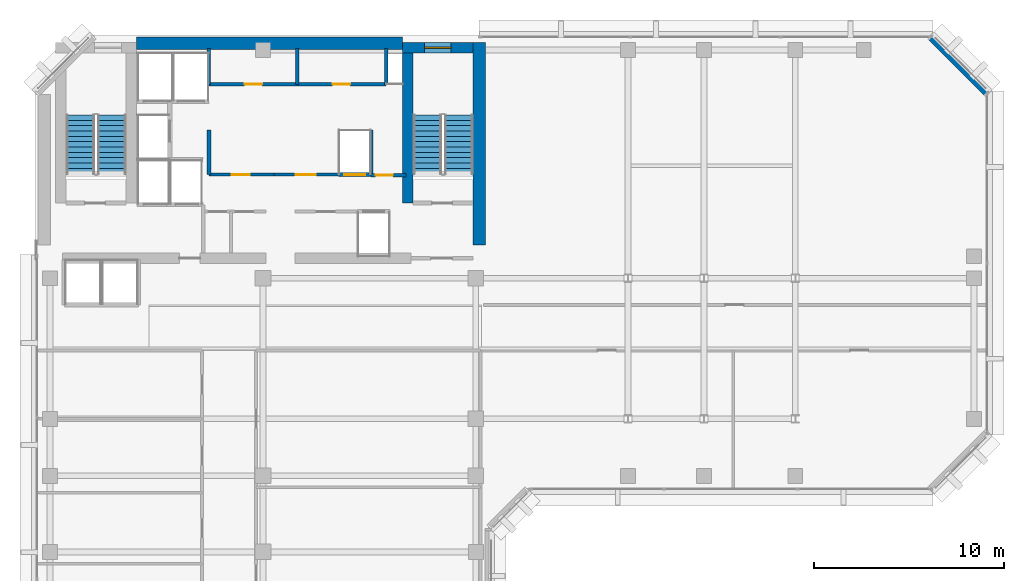
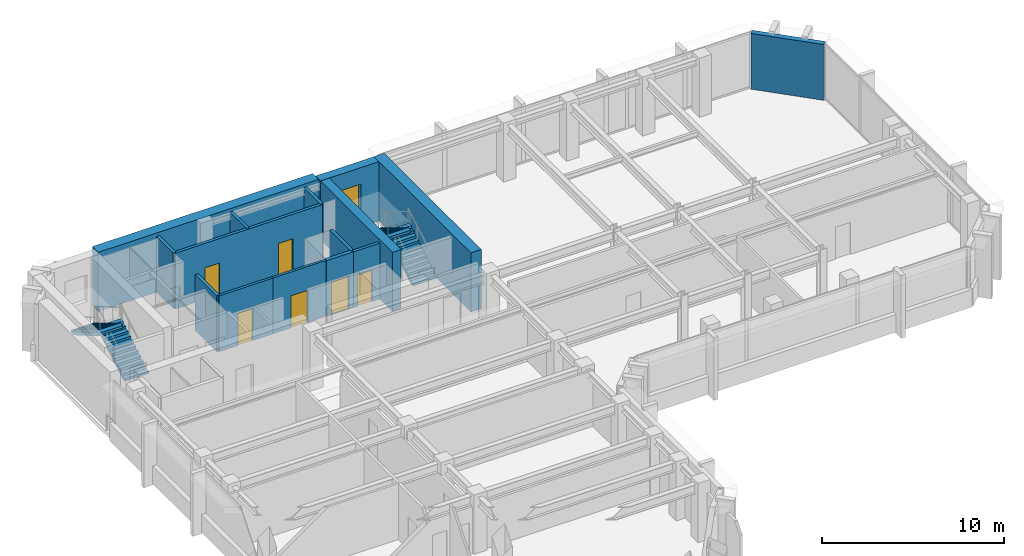
# One storey, part 8 of 12: 15 walls, 6 doors, 4 stair flights, 1 window, 7 openings, 2 elements without a shape of their own.
"""IFC4 building model written with IfcOpenShell, lengths in metres."""

from ifc_helpers import new_model, si_unit, direction, frame, frame_2d, origin, place, context, subcontext, project, spatial, polyline, rectangle, outline, extrude, material, layer, layer_set, type_object, element, fill, aggregate, save


model = new_model("IFC4")

# Units and contexts
model_context = context("Model", 3, precision=1e-05, world=origin(), true_north=direction((0.0, 1.0)))
body_context = subcontext(model_context, "Body", "Model", "MODEL_VIEW")
ifc_project = project(units=[si_unit("LENGTHUNIT", "METRE"), si_unit("AREAUNIT", "SQUARE_METRE"), si_unit("VOLUMEUNIT", "CUBIC_METRE"), si_unit("PLANEANGLEUNIT", "RADIAN"), si_unit("MASSUNIT", "GRAM", prefix="KILO")], contexts=[model_context])

# Site, building, storey
site_placement = place(None, origin())
site = spatial("IfcSite", under=ifc_project, at=site_placement, CompositionType="ELEMENT")
building_placement = place(site_placement, origin())
building = spatial("IfcBuilding", under=site, at=building_placement, Name="Kefirva Bronze Tower", CompositionType="ELEMENT")
storey_placement = place(building_placement, frame((0.0, 0.0, 268.2900390625)))
storey = spatial("IfcBuildingStorey", under=building, at=storey_placement, Name="L65", CompositionType="ELEMENT", Elevation=268.2900390625)

# Wall, opening, door
ifc_material_1 = material(Name="Gypsum acoustic partition")
ifc_layer_1 = layer(ifc_material_1, 0.14990234375, Name="Gypsum acoustic partition")
ifc_layer_set_1 = layer_set([ifc_layer_1], Name="Gypsum acoustic partition")
wall_type_1 = type_object("IfcWallType", Name="Executive Suite Partition 150mm", PredefinedType="PARTITIONING", material=ifc_layer_set_1)
wall_1_placement = place(storey_placement, frame((12.580078125, 38.64990234375, 0.0), z_axis=(0.0, 0.0, 1.0), x_axis=(1.0, 0.0, 0.0)))
wall_1 = element("IfcWall", 1, at=wall_1_placement, inside=storey, type_object=wall_type_1, Name="L65 Partition W-L65-RECMP2", PredefinedType="PARTITIONING", context=body_context, shape_type="SweptSolid", body=[
    extrude(rectangle(XDim=3.3798828125, YDim=0.14990234375, at=frame_2d((1.68994140625, 0.0))), origin(), (0.0, 0.0, 1.0), 3.739990234375),
])
opening_1_placement = place(wall_1_placement, frame((2.199951171875, 0.0, 0.0), z_axis=(0.0, 0.0, 1.0), x_axis=(-1.0, 0.0, 0.0)))
opening_1 = element("IfcOpeningElement", 2, at=opening_1_placement, cuts=wall_1, Name="Opening L65-D-RECMP2", PredefinedType="OPENING", context=body_context, shape_type="SweptSolid", body=[
    extrude(rectangle(XDim=1.050048828125, YDim=2.14990234375, at=frame_2d((0.52490234375, 1.074951171875))), frame((0.0, 0.0849609375, 0.0), z_axis=(0.0, -1.0, 0.0), x_axis=(1.0, 0.0, 0.0)), (0.0, 0.0, 1.0), 0.169921875),
])
ifc_material_2 = material(Name="Acoustic hardwood oak", Category="wood")
door_type_1 = type_object("IfcDoorType", Name="Executive & Boardroom Door 1050x2150", OperationType="NOTDEFINED", PredefinedType="DOOR", material=ifc_material_2)
door_1_placement = place(opening_1_placement, origin())
door_1 = element("IfcDoor", 3, at=door_1_placement, inside=storey, type_object=door_type_1, Name="Door L65-D-RECMP2", OperationType="SINGLE_SWING_RIGHT", OverallHeight=2.14990234375, OverallWidth=1.050048828125, PredefinedType="DOOR", context=body_context, shape_type="SweptSolid", body=[
    extrude(rectangle(XDim=1.050048828125, YDim=2.14990234375, at=frame_2d((0.52490234375, 1.074951171875))), frame((0.0, 0.02490234375, 0.0), z_axis=(0.0, -1.0, 0.0), x_axis=(1.0, 0.0, 0.0)), (0.0, 0.0, 1.0), 0.050048828125),
])
fill(opening_1, door_1)

# Walls
ifc_material_3 = material(Name="Gypsum fireboard shaftwall")
ifc_layer_2 = layer(ifc_material_3, 0.219970703125, Name="Gypsum fireboard shaftwall")
ifc_layer_set_2 = layer_set([ifc_layer_2], Name="Gypsum fireboard shaftwall")
wall_type_2 = type_object("IfcWallType", Name="Fire-Rated Shaft Enclosure Wall 220mm", PredefinedType="PARTITIONING", material=ifc_layer_set_2)
for number, where, z_axis, x_axis, name in (
    (4, (9.159912109375, 38.64990234375, 0.0), (0.0, 0.0, 1.0), (0.0, 1.0, 0.0), "L65 Partition W-L65-LP3W"),
    (5, (17.679931640625, 38.64990234375, 0.0), (0.0, 0.0, 1.0), (0.0, 1.0, 0.0), "L65 Partition W-L65-HP2E"),
):
    element("IfcWall", number, at=place(storey_placement, frame(where, z_axis=z_axis, x_axis=x_axis)), inside=storey, type_object=wall_type_2, Name=name, PredefinedType="PARTITIONING", context=body_context, shape_type="SweptSolid", body=[
        extrude(rectangle(XDim=2.35009765625, YDim=0.199951171875, at=frame_2d((1.175048828125, 0.0))), origin(), (0.0, 0.0, 1.0), 3.739990234375),
    ])

# Wall, opening, door
wall_2_placement = place(storey_placement, frame((15.97998046875, 38.64990234375, 0.0), z_axis=(0.0, 0.0, 1.0), x_axis=(1.0, 0.0, 0.0)))
wall_2 = element("IfcWall", 6, at=wall_2_placement, inside=storey, type_object=wall_type_2, Name="L65 Partition W-L65-HPN", PredefinedType="PARTITIONING", context=body_context, shape_type="SweptSolid", body=[
    extrude(rectangle(XDim=1.719970703125, YDim=0.219970703125, at=frame_2d((0.85986328125, 0.0))), origin(), (0.0, 0.0, 1.0), 3.739990234375),
])
opening_2_placement = place(wall_2_placement, frame((0.300048828125, 0.0, 0.0)))
opening_2 = element("IfcOpeningElement", 7, at=opening_2_placement, cuts=wall_2, Name="Opening L65-LD-HP2", PredefinedType="OPENING", context=body_context, shape_type="SweptSolid", body=[
    extrude(rectangle(XDim=1.10009765625, YDim=2.199951171875, at=frame_2d((0.550048828125, 1.10009765625))), frame((0.0, 0.1201171875, 0.0), z_axis=(0.0, -1.0, 0.0), x_axis=(1.0, 0.0, 0.0)), (0.0, 0.0, 1.0), 0.239990234375),
])
ifc_material_4 = material(Name="Stainless steel 316", Category="steel")
door_type_2 = type_object("IfcDoorType", Name="Passenger Lift Sliding Landing Door 1100x2200", OperationType="SLIDING_TO_LEFT", PredefinedType="DOOR", material=ifc_material_4)
door_2_placement = place(opening_2_placement, origin())
door_2 = element("IfcDoor", 8, at=door_2_placement, inside=storey, type_object=door_type_2, Name="Door L65-LD-HP2", OperationType="SLIDING_TO_LEFT", OverallHeight=2.199951171875, OverallWidth=1.10009765625, PredefinedType="DOOR", context=body_context, shape_type="SweptSolid", body=[
    extrude(rectangle(XDim=1.10009765625, YDim=2.199951171875, at=frame_2d((0.550048828125, 1.10009765625))), frame((0.0, 0.02490234375, 0.0), z_axis=(0.0, -1.0, 0.0), x_axis=(1.0, 0.0, 0.0)), (0.0, 0.0, 1.0), 0.050048828125),
])
fill(opening_2, door_2)

ifc_material_5 = material(Name="Gypsum fireboard barrier")
ifc_layer_3 = layer(ifc_material_5, 0.199951171875, Name="Gypsum fireboard barrier")
ifc_layer_set_3 = layer_set([ifc_layer_3], Name="Gypsum fireboard barrier")
wall_type_3 = type_object("IfcWallType", Name="Firefighting Lobby Barrier Wall 200mm", PredefinedType="PARTITIONING", material=ifc_layer_set_3)
wall_3_placement = place(storey_placement, frame((17.679931640625, 38.6201171875, 0.0), z_axis=(0.0, 0.0, 1.0), x_axis=(1.0, 0.0, 0.0)))
wall_3 = element("IfcWall", 9, at=wall_3_placement, inside=storey, type_object=wall_type_3, Name="L65 Partition W-L65-CPASS", PredefinedType="PARTITIONING", context=body_context, shape_type="SweptSolid", body=[
    extrude(rectangle(XDim=1.840087890625, YDim=0.179931640625, at=frame_2d((0.919921875, 0.0))), origin(), (0.0, 0.0, 1.0), 3.739990234375),
])
opening_3_placement = place(wall_3_placement, frame((0.239990234375, 0.0, 0.0)))
opening_3 = element("IfcOpeningElement", 10, at=opening_3_placement, cuts=wall_3, Name="Opening L65-D-CPAS", PredefinedType="OPENING", context=body_context, shape_type="SweptSolid", body=[
    extrude(rectangle(XDim=0.919921875, YDim=2.10009765625, at=frame_2d((0.4599609375, 1.050048828125))), frame((0.0, 0.10009765625, 0.0), z_axis=(0.0, -1.0, 0.0), x_axis=(1.0, 0.0, 0.0)), (0.0, 0.0, 1.0), 0.199951171875),
])
ifc_material_6 = material(Name="Moisture-resistant timber", Category="wood")
door_type_3 = type_object("IfcDoorType", Name="Accessible Sanitary & WC Door 920x2100", OperationType="NOTDEFINED", PredefinedType="DOOR", material=ifc_material_6)
door_3_placement = place(opening_3_placement, origin())
door_3 = element("IfcDoor", 11, at=door_3_placement, inside=storey, type_object=door_type_3, Name="Door L65-D-CPAS", OperationType="SINGLE_SWING_LEFT", OverallHeight=2.10009765625, OverallWidth=0.919921875, PredefinedType="DOOR", context=body_context, shape_type="SweptSolid", body=[
    extrude(rectangle(XDim=0.919921875, YDim=2.10009765625, at=frame_2d((0.4599609375, 1.050048828125))), frame((0.0, 0.02490234375, 0.0), z_axis=(0.0, -1.0, 0.0), x_axis=(1.0, 0.0, 0.0)), (0.0, 0.0, 1.0), 0.050048828125),
])
fill(opening_3, door_3)

# Wall
ifc_material_7 = material(Name="Precast concrete C40/50", Category="concrete")
ifc_layer_4 = layer(ifc_material_7, 0.320068359375, Name="Precast concrete C40/50")
ifc_layer_set_4 = layer_set([ifc_layer_4], Name="Precast concrete C40/50")
wall_type_4 = type_object("IfcWallType", Name="Precast Insulated Exterior Wall 320mm", PredefinedType="SOLIDWALL", material=ifc_layer_set_4)
wall_4_placement = place(storey_placement, frame((50.048095703125, 42.92578125, 0.0), z_axis=(0.0, 0.0, 1.0), x_axis=(-0.707136318428, 0.707077242712, 0.0)))
element("IfcWall", 12, at=wall_4_placement, inside=storey, type_object=wall_type_4, Name="L65 Exterior Facade Wall 5", PredefinedType="SOLIDWALL", context=body_context, shape_type="SweptSolid", body=[
    extrude(rectangle(XDim=4.132568359375, YDim=0.320068359375, at=frame_2d((2.06640625, 0.0))), origin(), (0.0, 0.0, 1.0), 3.739990234375),
])

# Wall, opening, door
ifc_layer_5 = layer(ifc_material_1, 0.159912109375, Name="Gypsum acoustic partition")
ifc_layer_set_5 = layer_set([ifc_layer_5], Name="Gypsum acoustic partition")
wall_type_5 = type_object("IfcWallType", Name="Protected Corridor Partition 160mm", PredefinedType="PARTITIONING", material=ifc_layer_set_5)
wall_5_placement = place(storey_placement, frame((9.159912109375, 38.64990234375, 0.0), z_axis=(0.0, 0.0, 1.0), x_axis=(1.0, 0.0, 0.0)))
wall_5 = element("IfcWall", 13, at=wall_5_placement, inside=storey, type_object=wall_type_5, Name="L65 Partition W-L65-RECLP2", PredefinedType="PARTITIONING", context=body_context, shape_type="SweptSolid", body=[
    extrude(rectangle(XDim=3.420166015625, YDim=0.159912109375, at=frame_2d((1.7099609375, 0.0))), origin(), (0.0, 0.0, 1.0), 3.739990234375),
])
opening_4_placement = place(wall_5_placement, frame((2.14990234375, 0.0, 0.0), z_axis=(0.0, 0.0, 1.0), x_axis=(-1.0, 0.0, 0.0)))
opening_4 = element("IfcOpeningElement", 14, at=opening_4_placement, cuts=wall_5, Name="Opening L65-D-RECLP2", PredefinedType="OPENING", context=body_context, shape_type="SweptSolid", body=[
    extrude(rectangle(XDim=0.949951171875, YDim=2.14990234375, at=frame_2d((0.47509765625, 1.074951171875))), frame((0.0, 0.08984375, 0.0), z_axis=(0.0, -1.0, 0.0), x_axis=(1.0, 0.0, 0.0)), (0.0, 0.0, 1.0), 0.179931640625),
])
door_type_4 = type_object("IfcDoorType", Name="Office & Meeting Room Door 950x2150", OperationType="NOTDEFINED", PredefinedType="DOOR", material=ifc_material_2)
door_4_placement = place(opening_4_placement, origin())
door_4 = element("IfcDoor", 15, at=door_4_placement, inside=storey, type_object=door_type_4, Name="Door L65-D-RECLP2", OperationType="SINGLE_SWING_RIGHT", OverallHeight=2.14990234375, OverallWidth=0.949951171875, PredefinedType="DOOR", context=body_context, shape_type="SweptSolid", body=[
    extrude(rectangle(XDim=0.949951171875, YDim=2.14990234375, at=frame_2d((0.47509765625, 1.074951171875))), frame((0.0, 0.02490234375, 0.0), z_axis=(0.0, -1.0, 0.0), x_axis=(1.0, 0.0, 0.0)), (0.0, 0.0, 1.0), 0.050048828125),
])
fill(opening_4, door_4)

# Wall, opening, window
ifc_material_8 = material(Name="Concrete C50/60", Category="concrete")
ifc_layer_6 = layer(ifc_material_8, 0.550048828125, Name="Concrete C50/60")
ifc_layer_set_6 = layer_set([ifc_layer_6], Name="Concrete C50/60")
wall_type_6 = type_object("IfcWallType", Name="RC Rear Core Exterior Wall 550mm", PredefinedType="SHEAR", material=ifc_layer_set_6)
wall_6_placement = place(storey_placement, frame((19.35009765625, 45.320068359375, 0.0), z_axis=(0.0, 0.0, 1.0), x_axis=(1.0, 0.0, 0.0)))
wall_6 = element("IfcWall", 16, at=wall_6_placement, inside=storey, type_object=wall_type_6, Name="L65 Stair 2 North Shear Wall", PredefinedType="SHEAR", context=body_context, shape_type="SweptSolid", body=[
    extrude(rectangle(XDim=3.68994140625, YDim=0.550048828125, at=frame_2d((1.844970703125, 0.0))), origin(), (0.0, 0.0, 1.0), 3.9599609375),
])
opening_5_placement = place(wall_6_placement, frame((1.14990234375, 0.0, 1.050048828125)))
opening_5 = element("IfcOpeningElement", 17, at=opening_5_placement, cuts=wall_6, Name="Opening WN-03", PredefinedType="OPENING", context=body_context, shape_type="SweptSolid", body=[
    extrude(rectangle(XDim=1.39990234375, YDim=1.800048828125, at=frame_2d((0.699951171875, 0.89990234375))), frame((0.0, 0.28515625, 0.0), z_axis=(0.0, -1.0, 0.0), x_axis=(1.0, 0.0, 0.0)), (0.0, 0.0, 1.0), 0.570068359375),
])
ifc_material_9 = material(Name="Laminated low-E double glazing", Category="glass")
window_type = type_object("IfcWindowType", Name="Rear-Core Stair Daylight Window 1400x1800", PartitioningType="SINGLE_PANEL", PredefinedType="WINDOW", material=ifc_material_9)
window_placement = place(opening_5_placement, origin())
window = element("IfcWindow", 18, at=window_placement, inside=storey, type_object=window_type, Name="L65 Stair 2 Daylight Window", OverallHeight=1.800048828125, OverallWidth=1.39990234375, PartitioningType="SINGLE_PANEL", PredefinedType="WINDOW", context=body_context, shape_type="SweptSolid", body=[
    extrude(rectangle(XDim=1.39990234375, YDim=1.800048828125, at=frame_2d((0.699951171875, 0.89990234375))), frame((0.0, 0.030029296875, 0.0), z_axis=(0.0, -1.0, 0.0), x_axis=(1.0, 0.0, 0.0)), (0.0, 0.0, 1.0), 0.06005859375),
])
fill(opening_5, window)

# Walls
ifc_layer_7 = layer(ifc_material_8, 0.64990234375, Name="Concrete C50/60")
ifc_layer_set_7 = layer_set([ifc_layer_7], Name="Concrete C50/60")
wall_type_7 = type_object("IfcWallType", Name="RC Rear Core Exterior Wall 650mm", PredefinedType="SHEAR", material=ifc_layer_set_7)
wall_7_placement = place(storey_placement, frame((5.360107421875, 45.550048828125, 0.0), z_axis=(0.0, 0.0, 1.0), x_axis=(1.0, 0.0, 0.0)))
element("IfcWall", 19, at=wall_7_placement, inside=storey, type_object=wall_type_7, Name="L65 Rear Core North Shear Wall", PredefinedType="SHEAR", context=body_context, shape_type="SweptSolid", body=[
    extrude(rectangle(XDim=13.97998046875, YDim=0.64990234375, at=frame_2d((6.989990234375, 0.0))), origin(), (0.0, 0.0, 1.0), 3.9599609375),
])
ifc_layer_8 = layer(ifc_material_8, 0.550048828125, Name="Concrete C50/60")
ifc_layer_set_8 = layer_set([ifc_layer_8], Name="Concrete C50/60")
wall_type_8 = type_object("IfcWallType", Name="RC Rear Core Interior Wall 550mm", PredefinedType="SHEAR", material=ifc_layer_set_8)
wall_8_placement = place(storey_placement, frame((19.6201171875, 37.14990234375, 0.0), z_axis=(0.0, 0.0, 1.0), x_axis=(0.0, 1.0, 0.0)))
element("IfcWall", 20, at=wall_8_placement, inside=storey, type_object=wall_type_8, Name="L65 Stair 2 West Shear Wall", PredefinedType="SHEAR", context=body_context, shape_type="SweptSolid", body=[
    extrude(rectangle(XDim=7.89013671875, YDim=0.550048828125, at=frame_2d((3.945068359375, 0.0))), origin(), (0.0, 0.0, 1.0), 3.9599609375),
])
ifc_layer_9 = layer(ifc_material_8, 0.64990234375, Name="Concrete C50/60")
ifc_layer_set_9 = layer_set([ifc_layer_9], Name="Concrete C50/60")
wall_type_9 = type_object("IfcWallType", Name="RC Rear Core Interior Wall 650mm", PredefinedType="SHEAR", material=ifc_layer_set_9)
wall_9_placement = place(storey_placement, frame((23.375, 34.949951171875, 0.0), z_axis=(0.0, 0.0, 1.0), x_axis=(0.0, 1.0, 0.0)))
element("IfcWall", 21, at=wall_9_placement, inside=storey, type_object=wall_type_9, Name="L65 Rear Core East Shear Wall", PredefinedType="SHEAR", context=body_context, shape_type="SweptSolid", body=[
    extrude(rectangle(XDim=10.64013671875, YDim=0.64990234375, at=frame_2d((5.320068359375, 0.0))), origin(), (0.0, 0.0, 1.0), 3.9599609375),
])

# Wall, openings, doors
ifc_material_10 = material(Name="Moisture-resistant partition")
ifc_layer_10 = layer(ifc_material_10, 0.179931640625, Name="Moisture-resistant partition")
ifc_layer_set_10 = layer_set([ifc_layer_10], Name="Moisture-resistant partition")
wall_type_10 = type_object("IfcWallType", Name="Sanitary Plumbing Chase Wall 180mm", PredefinedType="PLUMBINGWALL", material=ifc_layer_set_10)
wall_10_placement = place(storey_placement, frame((9.14990234375, 43.39990234375, 0.0), z_axis=(0.0, 0.0, 1.0), x_axis=(1.0, 0.0, 0.0)))
wall_10 = element("IfcWall", 22, at=wall_10_placement, inside=storey, type_object=wall_type_10, Name="L65 Partition W-L65-SVCS", PredefinedType="PLUMBINGWALL", context=body_context, shape_type="SweptSolid", body=[
    extrude(rectangle(XDim=9.330078125, YDim=0.179931640625, at=frame_2d((4.6650390625, 0.0))), origin(), (0.0, 0.0, 1.0), 3.739990234375),
])
opening_6_placement = place(wall_10_placement, frame((1.8798828125, 0.0, 0.0)))
opening_6 = element("IfcOpeningElement", 23, at=opening_6_placement, cuts=wall_10, Name="Opening L65-D-CSVC1", PredefinedType="OPENING", context=body_context, shape_type="SweptSolid", body=[
    extrude(rectangle(XDim=0.919921875, YDim=2.10009765625, at=frame_2d((0.4599609375, 1.050048828125))), frame((0.0, 0.10009765625, 0.0), z_axis=(0.0, -1.0, 0.0), x_axis=(1.0, 0.0, 0.0)), (0.0, 0.0, 1.0), 0.199951171875),
])
opening_7_placement = place(wall_10_placement, frame((6.514892578125, 0.0, 0.0)))
opening_7 = element("IfcOpeningElement", 24, at=opening_7_placement, cuts=wall_10, Name="Opening L65-D-CSVC2", PredefinedType="OPENING", context=body_context, shape_type="SweptSolid", body=[
    extrude(rectangle(XDim=0.919921875, YDim=2.10009765625, at=frame_2d((0.4599609375, 1.050048828125))), frame((0.0, 0.10009765625, 0.0), z_axis=(0.0, -1.0, 0.0), x_axis=(1.0, 0.0, 0.0)), (0.0, 0.0, 1.0), 0.199951171875),
])
door_5_placement = place(opening_6_placement, origin())
door_5 = element("IfcDoor", 25, at=door_5_placement, inside=storey, type_object=door_type_3, Name="Door L65-D-CSVC1", OperationType="SINGLE_SWING_LEFT", OverallHeight=2.10009765625, OverallWidth=0.919921875, PredefinedType="DOOR", context=body_context, shape_type="SweptSolid", body=[
    extrude(rectangle(XDim=0.919921875, YDim=2.10009765625, at=frame_2d((0.4599609375, 1.050048828125))), frame((0.0, 0.02490234375, 0.0), z_axis=(0.0, -1.0, 0.0), x_axis=(1.0, 0.0, 0.0)), (0.0, 0.0, 1.0), 0.050048828125),
])
fill(opening_6, door_5)
door_6_placement = place(opening_7_placement, origin())
door_6 = element("IfcDoor", 26, at=door_6_placement, inside=storey, type_object=door_type_3, Name="Door L65-D-CSVC2", OperationType="SINGLE_SWING_RIGHT", OverallHeight=2.10009765625, OverallWidth=0.919921875, PredefinedType="DOOR", context=body_context, shape_type="SweptSolid", body=[
    extrude(rectangle(XDim=0.919921875, YDim=2.10009765625, at=frame_2d((0.4599609375, 1.050048828125))), frame((0.0, 0.02490234375, 0.0), z_axis=(0.0, -1.0, 0.0), x_axis=(1.0, 0.0, 0.0)), (0.0, 0.0, 1.0), 0.050048828125),
])
fill(opening_7, door_6)

# Walls
for number, where, z_axis, x_axis, name in (
    (27, (9.14990234375, 43.39990234375, 0.0), (0.0, 0.0, 1.0), (0.0, 1.0, 0.0), "L65 Partition W-L65-SVCW"),
    (28, (18.47998046875, 43.39990234375, 0.0), (0.0, 0.0, 1.0), (0.0, 1.0, 0.0), "L65 Partition W-L65-SVCE"),
    (29, (13.800048828125, 43.39990234375, 0.0), (0.0, 0.0, 1.0), (0.0, 1.0, 0.0), "L65 Partition W-L65-CSVD-1"),
):
    element("IfcWall", number, at=place(storey_placement, frame(where, z_axis=z_axis, x_axis=x_axis)), inside=storey, type_object=wall_type_10, Name=name, PredefinedType="PLUMBINGWALL", context=body_context, shape_type="SweptSolid", body=[
        extrude(rectangle(XDim=1.880126953125, YDim=0.179931640625, at=frame_2d((0.93994140625, 0.0))), origin(), (0.0, 0.0, 1.0), 3.739990234375),
    ])

# Stair, stair flights
ifc_material_11 = material(Name="Concrete C40/50", Category="concrete")
stair_type = type_object("IfcStairType", Name="RC Dogleg Protected Stair 24R", PredefinedType="HALF_TURN_STAIR", material=ifc_material_11)
stair_1_placement = place(storey_placement, origin())
stair_1 = element("IfcStair", 30, at=stair_1_placement, inside=storey, type_object=stair_type, Name="L65 Protected Exit Stair 1", PredefinedType="HALF_TURN_STAIR")
stair_flight_type = type_object("IfcStairFlightType", Name="RC Straight Stair Flight 24R", PredefinedType="STRAIGHT", material=ifc_material_11)
stair_flight_1_placement = place(storey_placement, frame((4.050048828125, 38.699951171875, 0.0), z_axis=(0.0, 0.0, 1.0), x_axis=(0.0, 1.0, 0.0)))
stair_flight_1 = element("IfcStairFlight", 31, at=stair_flight_1_placement, type_object=stair_flight_type, Name="ST-1 flight 1", NumberOfRisers=12, NumberOfTreads=11, PredefinedType="STRAIGHT", RiserHeight=0.165, TreadLength=0.28, context=body_context, shape_type="SweptSolid", body=[
    extrude(outline(polyline([(0.0, 0.0), (0.0, 0.1650390625), (0.280029296875, 0.1650390625), (0.280029296875, 0.330078125), (0.56005859375, 0.330078125), (0.56005859375, 0.4951171875), (0.840087890625, 0.4951171875), (0.840087890625, 0.659912109375), (1.1201171875, 0.659912109375), (1.1201171875, 0.824951171875), (1.39990234375, 0.824951171875), (1.39990234375, 0.989990234375), (1.679931640625, 0.989990234375), (1.679931640625, 1.155029296875), (1.9599609375, 1.155029296875), (1.9599609375, 1.320068359375), (2.239990234375, 1.320068359375), (2.239990234375, 1.485107421875), (2.52001953125, 1.485107421875), (2.52001953125, 1.64990234375), (2.800048828125, 1.64990234375), (2.800048828125, 1.81494140625), (3.080078125, 1.81494140625), (3.080078125, 1.97998046875), (3.080078125, 1.64111328125), (0.295166015625, 0.0), (0.0, 0.0)])), frame((0.0, 0.75, 0.0), z_axis=(0.0, -1.0, 0.0), x_axis=(1.0, 0.0, 0.0)), (0.0, 0.0, 1.0), 1.5),
])
stair_flight_2_placement = place(storey_placement, frame((2.39990234375, 41.780029296875, 1.97998046875), z_axis=(0.0, 0.0, 1.0), x_axis=(0.0, -1.0, 0.0)))
stair_flight_2 = element("IfcStairFlight", 32, at=stair_flight_2_placement, type_object=stair_flight_type, Name="ST-1 flight 2", NumberOfRisers=12, NumberOfTreads=11, PredefinedType="STRAIGHT", RiserHeight=0.165, TreadLength=0.28, context=body_context, shape_type="SweptSolid", body=[
    extrude(outline(polyline([(0.0, 0.0), (0.0, 0.1650390625), (0.280029296875, 0.1650390625), (0.280029296875, 0.330078125), (0.56005859375, 0.330078125), (0.56005859375, 0.4951171875), (0.840087890625, 0.4951171875), (0.840087890625, 0.659912109375), (1.1201171875, 0.659912109375), (1.1201171875, 0.824951171875), (1.39990234375, 0.824951171875), (1.39990234375, 0.989990234375), (1.679931640625, 0.989990234375), (1.679931640625, 1.155029296875), (1.9599609375, 1.155029296875), (1.9599609375, 1.320068359375), (2.239990234375, 1.320068359375), (2.239990234375, 1.485107421875), (2.52001953125, 1.485107421875), (2.52001953125, 1.64990234375), (2.800048828125, 1.64990234375), (2.800048828125, 1.81494140625), (3.080078125, 1.81494140625), (3.080078125, 1.97998046875), (3.080078125, 1.64111328125), (0.295166015625, 0.0), (0.0, 0.0)])), frame((0.0, 0.75, 0.0), z_axis=(0.0, -1.0, 0.0), x_axis=(1.0, 0.0, 0.0)), (0.0, 0.0, 1.0), 1.5),
])
aggregate(stair_1, [stair_flight_1, stair_flight_2])

stair_2_placement = place(storey_placement, origin())
stair_2 = element("IfcStair", 33, at=stair_2_placement, inside=storey, type_object=stair_type, Name="L65 Protected Exit Stair 2", PredefinedType="HALF_TURN_STAIR")
stair_flight_3_placement = place(storey_placement, frame((22.300048828125, 38.699951171875, 0.0), z_axis=(0.0, 0.0, 1.0), x_axis=(0.0, 1.0, 0.0)))
stair_flight_3 = element("IfcStairFlight", 34, at=stair_flight_3_placement, type_object=stair_flight_type, Name="ST-2 flight 1", NumberOfRisers=12, NumberOfTreads=11, PredefinedType="STRAIGHT", RiserHeight=0.165, TreadLength=0.28, context=body_context, shape_type="SweptSolid", body=[
    extrude(outline(polyline([(0.0, 0.0), (0.0, 0.1650390625), (0.280029296875, 0.1650390625), (0.280029296875, 0.330078125), (0.56005859375, 0.330078125), (0.56005859375, 0.4951171875), (0.840087890625, 0.4951171875), (0.840087890625, 0.659912109375), (1.1201171875, 0.659912109375), (1.1201171875, 0.824951171875), (1.39990234375, 0.824951171875), (1.39990234375, 0.989990234375), (1.679931640625, 0.989990234375), (1.679931640625, 1.155029296875), (1.9599609375, 1.155029296875), (1.9599609375, 1.320068359375), (2.239990234375, 1.320068359375), (2.239990234375, 1.485107421875), (2.52001953125, 1.485107421875), (2.52001953125, 1.64990234375), (2.800048828125, 1.64990234375), (2.800048828125, 1.81494140625), (3.080078125, 1.81494140625), (3.080078125, 1.97998046875), (3.080078125, 1.64111328125), (0.295166015625, 0.0), (0.0, 0.0)])), frame((0.0, 0.75, 0.0), z_axis=(0.0, -1.0, 0.0), x_axis=(1.0, 0.0, 0.0)), (0.0, 0.0, 1.0), 1.5),
])
stair_flight_4_placement = place(storey_placement, frame((20.64990234375, 41.780029296875, 1.97998046875), z_axis=(0.0, 0.0, 1.0), x_axis=(0.0, -1.0, 0.0)))
stair_flight_4 = element("IfcStairFlight", 35, at=stair_flight_4_placement, type_object=stair_flight_type, Name="ST-2 flight 2", NumberOfRisers=12, NumberOfTreads=11, PredefinedType="STRAIGHT", RiserHeight=0.165, TreadLength=0.28, context=body_context, shape_type="SweptSolid", body=[
    extrude(outline(polyline([(0.0, 0.0), (0.0, 0.1650390625), (0.280029296875, 0.1650390625), (0.280029296875, 0.330078125), (0.56005859375, 0.330078125), (0.56005859375, 0.4951171875), (0.840087890625, 0.4951171875), (0.840087890625, 0.659912109375), (1.1201171875, 0.659912109375), (1.1201171875, 0.824951171875), (1.39990234375, 0.824951171875), (1.39990234375, 0.989990234375), (1.679931640625, 0.989990234375), (1.679931640625, 1.155029296875), (1.9599609375, 1.155029296875), (1.9599609375, 1.320068359375), (2.239990234375, 1.320068359375), (2.239990234375, 1.485107421875), (2.52001953125, 1.485107421875), (2.52001953125, 1.64990234375), (2.800048828125, 1.64990234375), (2.800048828125, 1.81494140625), (3.080078125, 1.81494140625), (3.080078125, 1.97998046875), (3.080078125, 1.64111328125), (0.295166015625, 0.0), (0.0, 0.0)])), frame((0.0, 0.75, 0.0), z_axis=(0.0, -1.0, 0.0), x_axis=(1.0, 0.0, 0.0)), (0.0, 0.0, 1.0), 1.5),
])
aggregate(stair_2, [stair_flight_3, stair_flight_4])

save(model, "model.ifc")
